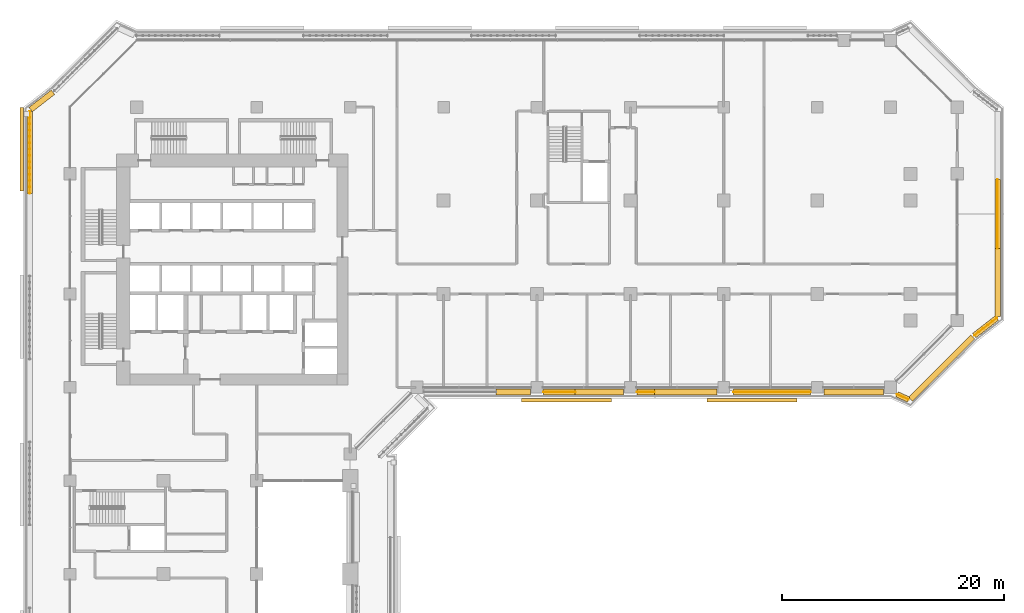
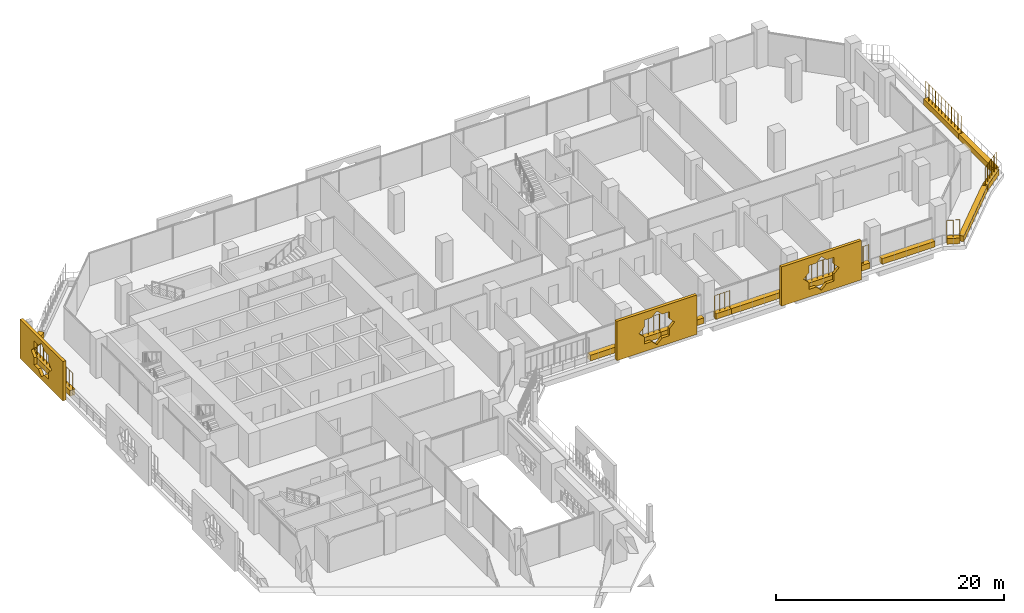
# One storey, part 26 of 29: 17 coverings, 7 railings.
"""IFC4 building model written with IfcOpenShell, lengths in metres."""

from ifc_helpers import new_model, si_unit, direction, frame, origin, origin_2d, place, context, subcontext, project, spatial, polyline, rectangle, circle, outline, extrude, material, material_profile, profile_set, type_object, element, save


model = new_model("IFC4")

# Units and contexts
model_context = context("Model", 3, precision=1e-05, world=origin(), true_north=direction((0.0, 1.0)))
body_context = subcontext(model_context, "Body", "Model", "MODEL_VIEW")
ifc_project = project(units=[si_unit("LENGTHUNIT", "METRE"), si_unit("AREAUNIT", "SQUARE_METRE"), si_unit("VOLUMEUNIT", "CUBIC_METRE"), si_unit("PLANEANGLEUNIT", "RADIAN"), si_unit("MASSUNIT", "GRAM", prefix="KILO")], contexts=[model_context])

# Site, building, storey
site_placement = place(None, origin())
site = spatial("IfcSite", under=ifc_project, at=site_placement, CompositionType="ELEMENT")
building_placement = place(site_placement, origin())
building = spatial("IfcBuilding", under=site, at=building_placement, Name="Kawkab Arch Medical Tower", CompositionType="ELEMENT")
storey_placement = place(building_placement, frame((0.0, 0.0, 107.199951171875)))
storey = spatial("IfcBuildingStorey", under=building, at=storey_placement, Name="L24", CompositionType="ELEMENT", Elevation=107.199951171875)

# Coverings
ifc_material_1 = material(Name="Bronze anodised aluminium mashrabiya panel, eight-point star pattern", Category="aluminium")
ifc_material_profile_1 = material_profile(ifc_material_1, outline(polyline([(-3.75, -2.10009765625), (3.75, -2.10009765625), (3.75, 2.10009765625), (-3.75, 2.10009765625), (-3.75, -2.10009765625)]), holes=[polyline([(1.800048828125, 0.0), (1.272705078125, 0.527099609375), (1.272705078125, 1.272705078125), (0.527099609375, 1.272705078125), (0.0, 1.800048828125), (-0.527099609375, 1.272705078125), (-1.272705078125, 1.272705078125), (-1.272705078125, 0.527099609375), (-1.800048828125, 0.0), (-1.272705078125, -0.527099609375), (-1.272705078125, -1.272705078125), (-0.527099609375, -1.272705078125), (0.0, -1.800048828125), (0.527099609375, -1.272705078125), (1.272705078125, -1.272705078125), (1.272705078125, -0.527099609375), (1.800048828125, 0.0)])]), Name="Mashrabiya panel 7500x4200")
ifc_profile_set_1 = profile_set([ifc_material_profile_1], Name="Bronze anodised aluminium mashrabiya panel, eight-point star pattern")
covering_type_1 = type_object("IfcCoveringType", Name="Mashrabiya panel 7500 x 4200", PredefinedType="USERDEFINED", material=ifc_profile_set_1)
covering_1_placement = place(storey_placement, frame((-4.199951171875, -3.795654296875, 1.699951171875), z_axis=(-1.0, 0.0, 0.0), x_axis=(0.0, -1.0, 0.0)))
element("IfcCovering", 1, at=covering_1_placement, inside=storey, type_object=covering_type_1, Name="Mashrabiya panel L24.LOG-01-02.5", ObjectType="SCREEN", PredefinedType="USERDEFINED", context=body_context, shape_type="SweptSolid", body=[
    extrude(outline(polyline([(-3.75, -2.10009765625), (3.75, -2.10009765625), (3.75, 2.10009765625), (-3.75, 2.10009765625), (-3.75, -2.10009765625)]), holes=[polyline([(1.800048828125, 0.0), (1.272705078125, 0.527099609375), (1.272705078125, 1.272705078125), (0.527099609375, 1.272705078125), (0.0, 1.800048828125), (-0.527099609375, 1.272705078125), (-1.272705078125, 1.272705078125), (-1.272705078125, 0.527099609375), (-1.800048828125, 0.0), (-1.272705078125, -0.527099609375), (-1.272705078125, -1.272705078125), (-0.527099609375, -1.272705078125), (0.0, -1.800048828125), (0.527099609375, -1.272705078125), (1.272705078125, -1.272705078125), (1.272705078125, -0.527099609375), (1.800048828125, 0.0)])]), origin(), (0.0, 0.0, 1.0), 0.300048828125),
])
ifc_material_2 = material(Name="Bronze anodised aluminium mashrabiya panel, eight-point star pattern", Category="aluminium")
ifc_material_profile_2 = material_profile(ifc_material_2, outline(polyline([(-4.050048828125, -2.10009765625), (4.050048828125, -2.10009765625), (4.050048828125, 2.10009765625), (-4.050048828125, 2.10009765625), (-4.050048828125, -2.10009765625)]), holes=[polyline([(1.800048828125, 0.0), (1.272705078125, 0.527099609375), (1.272705078125, 1.272705078125), (0.527099609375, 1.272705078125), (0.0, 1.800048828125), (-0.527099609375, 1.272705078125), (-1.272705078125, 1.272705078125), (-1.272705078125, 0.527099609375), (-1.800048828125, 0.0), (-1.272705078125, -0.527099609375), (-1.272705078125, -1.272705078125), (-0.527099609375, -1.272705078125), (0.0, -1.800048828125), (0.527099609375, -1.272705078125), (1.272705078125, -1.272705078125), (1.272705078125, -0.527099609375), (1.800048828125, 0.0)])]), Name="Mashrabiya panel 8100x4200")
ifc_profile_set_2 = profile_set([ifc_material_profile_2], Name="Bronze anodised aluminium mashrabiya panel, eight-point star pattern")
covering_type_2 = type_object("IfcCoveringType", Name="Mashrabiya panel 8100 x 4200", PredefinedType="USERDEFINED", material=ifc_profile_set_2)
for number, where, z_axis, x_axis, name in (
    (2, (61.31640625, -26.199951171875, 1.699951171875), (0.0, -1.0, 0.0), (1.0, 0.0, 0.0), "Mashrabiya panel L24.LOG-01-02.10"),
    (3, (44.66845703125, -26.199951171875, 1.699951171875), (0.0, -1.0, 0.0), (1.0, 0.0, 0.0), "Mashrabiya panel L24.LOG-01-02.11"),
):
    element("IfcCovering", number, at=place(storey_placement, frame(where, z_axis=z_axis, x_axis=x_axis)), inside=storey, type_object=covering_type_2, Name=name, ObjectType="SCREEN", PredefinedType="USERDEFINED", context=body_context, shape_type="SweptSolid", body=[
        extrude(outline(polyline([(-4.050048828125, -2.10009765625), (4.050048828125, -2.10009765625), (4.050048828125, 2.10009765625), (-4.050048828125, 2.10009765625), (-4.050048828125, -2.10009765625)]), holes=[polyline([(1.800048828125, 0.0), (1.272705078125, 0.527099609375), (1.272705078125, 1.272705078125), (0.527099609375, 1.272705078125), (0.0, 1.800048828125), (-0.527099609375, 1.272705078125), (-1.272705078125, 1.272705078125), (-1.272705078125, 0.527099609375), (-1.800048828125, 0.0), (-1.272705078125, -0.527099609375), (-1.272705078125, -1.272705078125), (-0.527099609375, -1.272705078125), (0.0, -1.800048828125), (0.527099609375, -1.272705078125), (1.272705078125, -1.272705078125), (1.272705078125, -0.527099609375), (1.800048828125, 0.0)])]), origin(), (0.0, 0.0, 1.0), 0.300048828125),
    ])
ifc_material_3 = material(Name="Planting soil in a precast trough", Category="concrete")
ifc_material_profile_3 = material_profile(ifc_material_3, rectangle(XDim=0.5, YDim=0.60009765625, at=origin_2d()), Name="Trough 500x600")
ifc_profile_set_3 = profile_set([ifc_material_profile_3], Name="Planting soil in a precast trough")
covering_type_3 = type_object("IfcCoveringType", Name="Planter trough 500 x 600", PredefinedType="USERDEFINED", material=ifc_profile_set_3)
covering_2_placement = place(storey_placement, frame((-3.6201171875, -7.7451171875, 0.300048828125), z_axis=(0.0, 1.0, 0.0), x_axis=(-1.0, 0.0, 0.0)))
element("IfcCovering", 4, at=covering_2_placement, inside=storey, type_object=covering_type_3, Name="Planter L24.LOG-01-02.13", ObjectType="PLANTER", PredefinedType="USERDEFINED", context=body_context, shape_type="SweptSolid", body=[
    extrude(rectangle(XDim=0.5, YDim=0.60009765625, at=origin_2d()), origin(), (0.0, 0.0, 1.0), 7.361083984375),
])
covering_3_placement = place(storey_placement, frame((-3.541015625, -0.221923828125, 0.300048828125), z_axis=(0.789274742246, 0.61404021143, 0.0), x_axis=(-0.61404021143, 0.789274742246, 0.0)))
element("IfcCovering", 5, at=covering_3_placement, inside=storey, type_object=covering_type_3, Name="Planter L24.LOG-01-02.14", ObjectType="PLANTER", PredefinedType="USERDEFINED", context=body_context, shape_type="SweptSolid", body=[
    extrude(rectangle(XDim=0.5, YDim=0.60009765625, at=origin_2d()), origin(), (0.0, 0.0, 1.0), 2.54541015625),
])
covering_4_placement = place(storey_placement, frame((83.419921875, -6.4951171875, 0.300048828125), z_axis=(0.0, -1.0, 0.0), x_axis=(1.0, 0.0, 0.0)))
element("IfcCovering", 6, at=covering_4_placement, inside=storey, type_object=covering_type_3, Name="Planter L24.LOG-01-02.31", ObjectType="PLANTER", PredefinedType="USERDEFINED", context=body_context, shape_type="SweptSolid", body=[
    extrude(rectangle(XDim=0.5, YDim=0.60009765625, at=origin_2d()), origin(), (0.0, 0.0, 1.0), 6.2099609375),
])
covering_5_placement = place(storey_placement, frame((83.419921875, -12.705078125, 0.300048828125), z_axis=(0.0, -1.0, 0.0), x_axis=(1.0, 0.0, 0.0)))
element("IfcCovering", 7, at=covering_5_placement, inside=storey, type_object=covering_type_3, Name="Planter L24.LOG-01-02.32", ObjectType="PLANTER", PredefinedType="USERDEFINED", context=body_context, shape_type="SweptSolid", body=[
    extrude(rectangle(XDim=0.5, YDim=0.60009765625, at=origin_2d()), origin(), (0.0, 0.0, 1.0), 6.11083984375),
])
covering_6_placement = place(storey_placement, frame((83.341064453125, -18.97802734375, 0.300048828125), z_axis=(-0.789274742246, -0.61404021143, 0.0), x_axis=(0.61404021143, -0.789274742246, 0.0)))
element("IfcCovering", 8, at=covering_6_placement, inside=storey, type_object=covering_type_3, Name="Planter L24.LOG-01-02.33", ObjectType="PLANTER", PredefinedType="USERDEFINED", context=body_context, shape_type="SweptSolid", body=[
    extrude(rectangle(XDim=0.5, YDim=0.60009765625, at=origin_2d()), origin(), (0.0, 0.0, 1.0), 2.54541015625),
])
covering_7_placement = place(storey_placement, frame((81.18310546875, -20.673095703125, 0.300048828125), z_axis=(-0.70712219479, -0.707091367247, 0.0), x_axis=(0.707091367247, -0.70712219479, 0.0)))
element("IfcCovering", 9, at=covering_7_placement, inside=storey, type_object=covering_type_3, Name="Planter L24.LOG-01-02.34", ObjectType="PLANTER", PredefinedType="USERDEFINED", context=body_context, shape_type="SweptSolid", body=[
    extrude(rectangle(XDim=0.5, YDim=0.60009765625, at=origin_2d()), origin(), (0.0, 0.0, 1.0), 7.919677734375),
])
covering_8_placement = place(storey_placement, frame((75.4208984375, -26.302001953125, 0.300048828125), z_axis=(-0.90986596287, 0.414902313335, 0.0), x_axis=(-0.414902313335, -0.90986596287, 0.0)))
element("IfcCovering", 10, at=covering_8_placement, inside=storey, type_object=covering_type_3, Name="Planter L24.LOG-01-02.35", ObjectType="PLANTER", PredefinedType="USERDEFINED", context=body_context, shape_type="SweptSolid", body=[
    extrude(rectangle(XDim=0.5, YDim=0.60009765625, at=origin_2d()), origin(), (0.0, 0.0, 1.0), 1.137451171875),
])
covering_9_placement = place(storey_placement, frame((73.169921875, -25.6201171875, 0.300048828125), z_axis=(-1.0, 0.0, 0.0), x_axis=(0.0, -1.0, 0.0)))
element("IfcCovering", 11, at=covering_9_placement, inside=storey, type_object=covering_type_3, Name="Planter L24.LOG-01-02.36", ObjectType="PLANTER", PredefinedType="USERDEFINED", context=body_context, shape_type="SweptSolid", body=[
    extrude(rectangle(XDim=0.5, YDim=0.60009765625, at=origin_2d()), origin(), (0.0, 0.0, 1.0), 5.364990234375),
])
covering_10_placement = place(storey_placement, frame((66.594970703125, -25.6201171875, 0.300048828125), z_axis=(-1.0, 0.0, 0.0), x_axis=(0.0, -1.0, 0.0)))
element("IfcCovering", 12, at=covering_10_placement, inside=storey, type_object=covering_type_3, Name="Planter L24.LOG-01-02.37", ObjectType="PLANTER", PredefinedType="USERDEFINED", context=body_context, shape_type="SweptSolid", body=[
    extrude(rectangle(XDim=0.5, YDim=0.60009765625, at=origin_2d()), origin(), (0.0, 0.0, 1.0), 6.916015625),
])
covering_11_placement = place(storey_placement, frame((58.195068359375, -25.6201171875, 0.300048828125), z_axis=(-1.0, 0.0, 0.0), x_axis=(0.0, -1.0, 0.0)))
element("IfcCovering", 13, at=covering_11_placement, inside=storey, type_object=covering_type_3, Name="Planter L24.LOG-01-02.38", ObjectType="PLANTER", PredefinedType="USERDEFINED", context=body_context, shape_type="SweptSolid", body=[
    extrude(rectangle(XDim=0.5, YDim=0.60009765625, at=origin_2d()), origin(), (0.0, 0.0, 1.0), 5.64013671875),
])
covering_12_placement = place(storey_placement, frame((52.554931640625, -25.6201171875, 0.300048828125), z_axis=(-1.0, 0.0, 0.0), x_axis=(0.0, -1.0, 0.0)))
element("IfcCovering", 14, at=covering_12_placement, inside=storey, type_object=covering_type_3, Name="Planter L24.LOG-01-02.39", ObjectType="PLANTER", PredefinedType="USERDEFINED", context=body_context, shape_type="SweptSolid", body=[
    extrude(rectangle(XDim=0.5, YDim=0.60009765625, at=origin_2d()), origin(), (0.0, 0.0, 1.0), 1.550048828125),
])
covering_13_placement = place(storey_placement, frame((49.794921875, -25.6201171875, 0.300048828125), z_axis=(-1.0, 0.0, 0.0), x_axis=(0.0, -1.0, 0.0)))
element("IfcCovering", 15, at=covering_13_placement, inside=storey, type_object=covering_type_3, Name="Planter L24.LOG-01-02.40", ObjectType="PLANTER", PredefinedType="USERDEFINED", context=body_context, shape_type="SweptSolid", body=[
    extrude(rectangle(XDim=0.5, YDim=0.60009765625, at=origin_2d()), origin(), (0.0, 0.0, 1.0), 4.363037109375),
])
covering_14_placement = place(storey_placement, frame((45.431884765625, -25.6201171875, 0.300048828125), z_axis=(-1.0, 0.0, 0.0), x_axis=(0.0, -1.0, 0.0)))
element("IfcCovering", 16, at=covering_14_placement, inside=storey, type_object=covering_type_3, Name="Planter L24.LOG-01-02.41", ObjectType="PLANTER", PredefinedType="USERDEFINED", context=body_context, shape_type="SweptSolid", body=[
    extrude(rectangle(XDim=0.5, YDim=0.60009765625, at=origin_2d()), origin(), (0.0, 0.0, 1.0), 2.826904296875),
])
covering_15_placement = place(storey_placement, frame((41.39501953125, -25.6201171875, 0.300048828125), z_axis=(-1.0, 0.0, 0.0), x_axis=(0.0, -1.0, 0.0)))
element("IfcCovering", 17, at=covering_15_placement, inside=storey, type_object=covering_type_3, Name="Planter L24.LOG-01-02.42", ObjectType="PLANTER", PredefinedType="USERDEFINED", context=body_context, shape_type="SweptSolid", body=[
    extrude(rectangle(XDim=0.5, YDim=0.60009765625, at=origin_2d()), origin(), (0.0, 0.0, 1.0), 3.0869140625),
])

# Railings
ifc_material_4 = material(Name="Bronze anodised aluminium trellis for climbing plants", Category="aluminium")
railing_type = type_object("IfcRailingType", Name="Planting trellis 2400", PredefinedType="USERDEFINED", material=ifc_material_4)
railing_1_placement = place(storey_placement, frame((-3.6201171875, -7.7451171875, 0.0)))
element("IfcRailing", 18, at=railing_1_placement, inside=storey, type_object=railing_type, Name="Planting trellis L24.LOG-01-02.13", ObjectType="TRELLIS", PredefinedType="USERDEFINED", context=body_context, shape_type="SweptSolid", body=[
    extrude(circle(Radius=0.01513671875, at=origin_2d()), frame((0.0, 0.0, 2.384765625), z_axis=(0.0, 1.0, 0.0), x_axis=(-1.0, 0.0, 0.0)), (0.0, 0.0, 1.0), 7.361083984375),
    extrude(circle(Radius=0.030029296875, at=origin_2d()), origin(), (0.0, 0.0, 1.0), 2.369873046875),
    extrude(circle(Radius=0.030029296875, at=origin_2d()), frame((0.0, 0.566162109375, 0.0)), (0.0, 0.0, 1.0), 2.369873046875),
    extrude(circle(Radius=0.030029296875, at=origin_2d()), frame((0.0, 1.132568359375, 0.0)), (0.0, 0.0, 1.0), 2.369873046875),
    extrude(circle(Radius=0.030029296875, at=origin_2d()), frame((0.0, 1.69873046875, 0.0)), (0.0, 0.0, 1.0), 2.369873046875),
    extrude(circle(Radius=0.030029296875, at=origin_2d()), frame((0.0, 2.264892578125, 0.0)), (0.0, 0.0, 1.0), 2.369873046875),
    extrude(circle(Radius=0.030029296875, at=origin_2d()), frame((0.0, 2.831298828125, 0.0)), (0.0, 0.0, 1.0), 2.369873046875),
    extrude(circle(Radius=0.030029296875, at=origin_2d()), frame((0.0, 3.3974609375, 0.0)), (0.0, 0.0, 1.0), 2.369873046875),
    extrude(circle(Radius=0.030029296875, at=origin_2d()), frame((0.0, 3.963623046875, 0.0)), (0.0, 0.0, 1.0), 2.369873046875),
    extrude(circle(Radius=0.030029296875, at=origin_2d()), frame((0.0, 4.52978515625, 0.0)), (0.0, 0.0, 1.0), 2.369873046875),
    extrude(circle(Radius=0.030029296875, at=origin_2d()), frame((0.0, 5.09619140625, 0.0)), (0.0, 0.0, 1.0), 2.369873046875),
    extrude(circle(Radius=0.030029296875, at=origin_2d()), frame((0.0, 5.662353515625, 0.0)), (0.0, 0.0, 1.0), 2.369873046875),
    extrude(circle(Radius=0.030029296875, at=origin_2d()), frame((0.0, 6.228515625, 0.0)), (0.0, 0.0, 1.0), 2.369873046875),
    extrude(circle(Radius=0.030029296875, at=origin_2d()), frame((0.0, 6.794921875, 0.0)), (0.0, 0.0, 1.0), 2.369873046875),
    extrude(circle(Radius=0.030029296875, at=origin_2d()), frame((0.0, 7.361083984375, 0.0)), (0.0, 0.0, 1.0), 2.369873046875),
])
railing_2_placement = place(storey_placement, frame((83.419921875, -6.4951171875, 0.0)))
element("IfcRailing", 19, at=railing_2_placement, inside=storey, type_object=railing_type, Name="Planting trellis L24.LOG-01-02.31", ObjectType="TRELLIS", PredefinedType="USERDEFINED", context=body_context, shape_type="SweptSolid", body=[
    extrude(circle(Radius=0.01513671875, at=origin_2d()), frame((0.0, 0.0, 2.384765625), z_axis=(0.0, -1.0, 0.0), x_axis=(1.0, 0.0, 0.0)), (0.0, 0.0, 1.0), 6.2099609375),
    extrude(circle(Radius=0.030029296875, at=origin_2d()), origin(), (0.0, 0.0, 1.0), 2.369873046875),
    extrude(circle(Radius=0.030029296875, at=origin_2d()), frame((0.0, -0.564453125, 0.0)), (0.0, 0.0, 1.0), 2.369873046875),
    extrude(circle(Radius=0.030029296875, at=origin_2d()), frame((0.0, -1.129150390625, 0.0)), (0.0, 0.0, 1.0), 2.369873046875),
    extrude(circle(Radius=0.030029296875, at=origin_2d()), frame((0.0, -1.693603515625, 0.0)), (0.0, 0.0, 1.0), 2.369873046875),
    extrude(circle(Radius=0.030029296875, at=origin_2d()), frame((0.0, -2.258056640625, 0.0)), (0.0, 0.0, 1.0), 2.369873046875),
    extrude(circle(Radius=0.030029296875, at=origin_2d()), frame((0.0, -2.82275390625, 0.0)), (0.0, 0.0, 1.0), 2.369873046875),
    extrude(circle(Radius=0.030029296875, at=origin_2d()), frame((0.0, -3.38720703125, 0.0)), (0.0, 0.0, 1.0), 2.369873046875),
    extrude(circle(Radius=0.030029296875, at=origin_2d()), frame((0.0, -3.951904296875, 0.0)), (0.0, 0.0, 1.0), 2.369873046875),
    extrude(circle(Radius=0.030029296875, at=origin_2d()), frame((0.0, -4.516357421875, 0.0)), (0.0, 0.0, 1.0), 2.369873046875),
    extrude(circle(Radius=0.030029296875, at=origin_2d()), frame((0.0, -5.080810546875, 0.0)), (0.0, 0.0, 1.0), 2.369873046875),
    extrude(circle(Radius=0.030029296875, at=origin_2d()), frame((0.0, -5.6455078125, 0.0)), (0.0, 0.0, 1.0), 2.369873046875),
    extrude(circle(Radius=0.030029296875, at=origin_2d()), frame((0.0, -6.2099609375, 0.0)), (0.0, 0.0, 1.0), 2.369873046875),
])
railing_3_placement = place(storey_placement, frame((83.341064453125, -18.97802734375, 0.0)))
element("IfcRailing", 20, at=railing_3_placement, inside=storey, type_object=railing_type, Name="Planting trellis L24.LOG-01-02.33", ObjectType="TRELLIS", PredefinedType="USERDEFINED", context=body_context, shape_type="SweptSolid", body=[
    extrude(circle(Radius=0.01513671875, at=origin_2d()), frame((0.0, 0.0, 2.384765625), z_axis=(-0.789274742246, -0.61404021143, 0.0), x_axis=(0.61404021143, -0.789274742246, 0.0)), (0.0, 0.0, 1.0), 2.54541015625),
    extrude(circle(Radius=0.030029296875, at=origin_2d()), origin(), (0.0, 0.0, 1.0), 2.369873046875),
    extrude(circle(Radius=0.030029296875, at=origin_2d()), frame((-0.40185546875, -0.3125, 0.0)), (0.0, 0.0, 1.0), 2.369873046875),
    extrude(circle(Radius=0.030029296875, at=origin_2d()), frame((-0.8037109375, -0.625244140625, 0.0)), (0.0, 0.0, 1.0), 2.369873046875),
    extrude(circle(Radius=0.030029296875, at=origin_2d()), frame((-1.205322265625, -0.937744140625, 0.0)), (0.0, 0.0, 1.0), 2.369873046875),
    extrude(circle(Radius=0.030029296875, at=origin_2d()), frame((-1.607177734375, -1.25048828125, 0.0)), (0.0, 0.0, 1.0), 2.369873046875),
    extrude(circle(Radius=0.030029296875, at=origin_2d()), frame((-2.009033203125, -1.56298828125, 0.0)), (0.0, 0.0, 1.0), 2.369873046875),
])
railing_4_placement = place(storey_placement, frame((75.4208984375, -26.302001953125, 0.0)))
element("IfcRailing", 21, at=railing_4_placement, inside=storey, type_object=railing_type, Name="Planting trellis L24.LOG-01-02.35", ObjectType="TRELLIS", PredefinedType="USERDEFINED", context=body_context, shape_type="SweptSolid", body=[
    extrude(circle(Radius=0.01513671875, at=origin_2d()), frame((0.0, 0.0, 2.384765625), z_axis=(-0.90986596287, 0.414902313335, 0.0), x_axis=(-0.414902313335, -0.90986596287, 0.0)), (0.0, 0.0, 1.0), 1.137451171875),
    extrude(circle(Radius=0.030029296875, at=origin_2d()), origin(), (0.0, 0.0, 1.0), 2.369873046875),
    extrude(circle(Radius=0.030029296875, at=origin_2d()), frame((-0.517578125, 0.23583984375, 0.0)), (0.0, 0.0, 1.0), 2.369873046875),
    extrude(circle(Radius=0.030029296875, at=origin_2d()), frame((-1.034912109375, 0.471923828125, 0.0)), (0.0, 0.0, 1.0), 2.369873046875),
])
railing_5_placement = place(storey_placement, frame((66.594970703125, -25.6201171875, 0.0)))
element("IfcRailing", 22, at=railing_5_placement, inside=storey, type_object=railing_type, Name="Planting trellis L24.LOG-01-02.37", ObjectType="TRELLIS", PredefinedType="USERDEFINED", context=body_context, shape_type="SweptSolid", body=[
    extrude(circle(Radius=0.01513671875, at=origin_2d()), frame((0.0, 0.0, 2.384765625), z_axis=(-1.0, 0.0, 0.0), x_axis=(0.0, -1.0, 0.0)), (0.0, 0.0, 1.0), 6.916015625),
    extrude(circle(Radius=0.030029296875, at=origin_2d()), origin(), (0.0, 0.0, 1.0), 2.369873046875),
    extrude(circle(Radius=0.030029296875, at=origin_2d()), frame((-0.576416015625, 0.0, 0.0)), (0.0, 0.0, 1.0), 2.369873046875),
    extrude(circle(Radius=0.030029296875, at=origin_2d()), frame((-1.152587890625, 0.0, 0.0)), (0.0, 0.0, 1.0), 2.369873046875),
    extrude(circle(Radius=0.030029296875, at=origin_2d()), frame((-1.72900390625, 0.0, 0.0)), (0.0, 0.0, 1.0), 2.369873046875),
    extrude(circle(Radius=0.030029296875, at=origin_2d()), frame((-2.305419921875, 0.0, 0.0)), (0.0, 0.0, 1.0), 2.369873046875),
    extrude(circle(Radius=0.030029296875, at=origin_2d()), frame((-2.881591796875, 0.0, 0.0)), (0.0, 0.0, 1.0), 2.369873046875),
    extrude(circle(Radius=0.030029296875, at=origin_2d()), frame((-3.4580078125, 0.0, 0.0)), (0.0, 0.0, 1.0), 2.369873046875),
    extrude(circle(Radius=0.030029296875, at=origin_2d()), frame((-4.034423828125, 0.0, 0.0)), (0.0, 0.0, 1.0), 2.369873046875),
    extrude(circle(Radius=0.030029296875, at=origin_2d()), frame((-4.610595703125, 0.0, 0.0)), (0.0, 0.0, 1.0), 2.369873046875),
    extrude(circle(Radius=0.030029296875, at=origin_2d()), frame((-5.18701171875, 0.0, 0.0)), (0.0, 0.0, 1.0), 2.369873046875),
    extrude(circle(Radius=0.030029296875, at=origin_2d()), frame((-5.763427734375, 0.0, 0.0)), (0.0, 0.0, 1.0), 2.369873046875),
    extrude(circle(Radius=0.030029296875, at=origin_2d()), frame((-6.339599609375, 0.0, 0.0)), (0.0, 0.0, 1.0), 2.369873046875),
    extrude(circle(Radius=0.030029296875, at=origin_2d()), frame((-6.916015625, 0.0, 0.0)), (0.0, 0.0, 1.0), 2.369873046875),
])
railing_6_placement = place(storey_placement, frame((52.554931640625, -25.6201171875, 0.0)))
element("IfcRailing", 23, at=railing_6_placement, inside=storey, type_object=railing_type, Name="Planting trellis L24.LOG-01-02.39", ObjectType="TRELLIS", PredefinedType="USERDEFINED", context=body_context, shape_type="SweptSolid", body=[
    extrude(circle(Radius=0.01513671875, at=origin_2d()), frame((0.0, 0.0, 2.384765625), z_axis=(-1.0, 0.0, 0.0), x_axis=(0.0, -1.0, 0.0)), (0.0, 0.0, 1.0), 1.550048828125),
    extrude(circle(Radius=0.030029296875, at=origin_2d()), origin(), (0.0, 0.0, 1.0), 2.369873046875),
    extrude(circle(Radius=0.030029296875, at=origin_2d()), frame((-0.5166015625, 0.0, 0.0)), (0.0, 0.0, 1.0), 2.369873046875),
    extrude(circle(Radius=0.030029296875, at=origin_2d()), frame((-1.033447265625, 0.0, 0.0)), (0.0, 0.0, 1.0), 2.369873046875),
    extrude(circle(Radius=0.030029296875, at=origin_2d()), frame((-1.550048828125, 0.0, 0.0)), (0.0, 0.0, 1.0), 2.369873046875),
])
railing_7_placement = place(storey_placement, frame((45.431884765625, -25.6201171875, 0.0)))
element("IfcRailing", 24, at=railing_7_placement, inside=storey, type_object=railing_type, Name="Planting trellis L24.LOG-01-02.41", ObjectType="TRELLIS", PredefinedType="USERDEFINED", context=body_context, shape_type="SweptSolid", body=[
    extrude(circle(Radius=0.01513671875, at=origin_2d()), frame((0.0, 0.0, 2.384765625), z_axis=(-1.0, 0.0, 0.0), x_axis=(0.0, -1.0, 0.0)), (0.0, 0.0, 1.0), 2.826904296875),
    extrude(circle(Radius=0.030029296875, at=origin_2d()), origin(), (0.0, 0.0, 1.0), 2.369873046875),
    extrude(circle(Radius=0.030029296875, at=origin_2d()), frame((-0.5654296875, 0.0, 0.0)), (0.0, 0.0, 1.0), 2.369873046875),
    extrude(circle(Radius=0.030029296875, at=origin_2d()), frame((-1.130859375, 0.0, 0.0)), (0.0, 0.0, 1.0), 2.369873046875),
    extrude(circle(Radius=0.030029296875, at=origin_2d()), frame((-1.696044921875, 0.0, 0.0)), (0.0, 0.0, 1.0), 2.369873046875),
    extrude(circle(Radius=0.030029296875, at=origin_2d()), frame((-2.261474609375, 0.0, 0.0)), (0.0, 0.0, 1.0), 2.369873046875),
    extrude(circle(Radius=0.030029296875, at=origin_2d()), frame((-2.826904296875, 0.0, 0.0)), (0.0, 0.0, 1.0), 2.369873046875),
])

save(model, "model.ifc")
